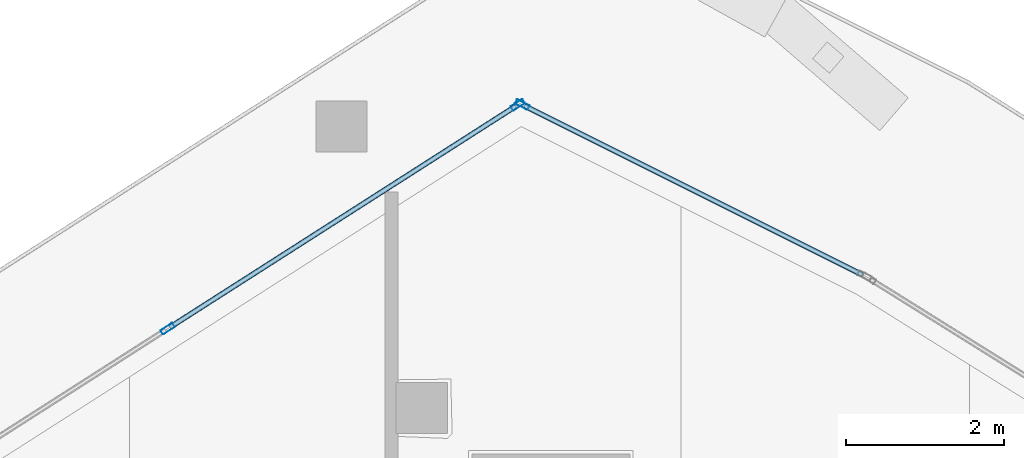
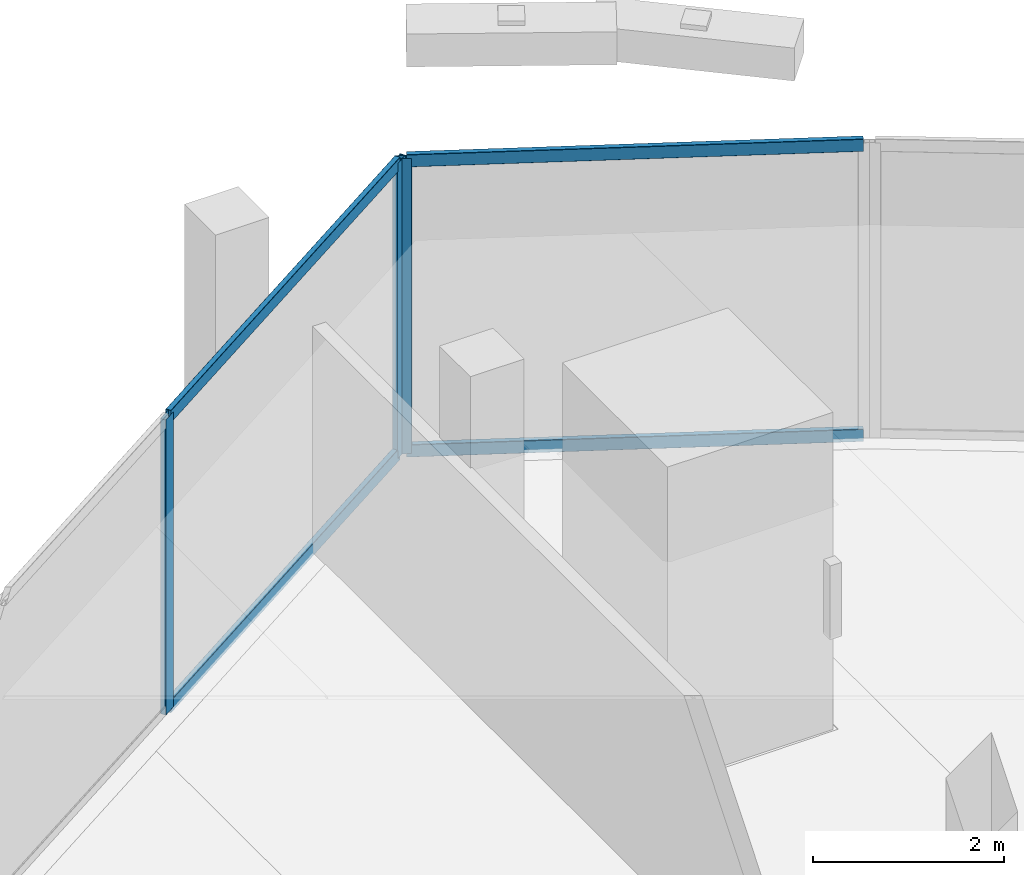
# One storey, part 22 of 42: 7 members, 2 elements without a shape of their own.
"""IFC4 building model written with IfcOpenShell, lengths in metres."""

from ifc_helpers import new_model, si_unit, direction, frame, origin, origin_2d, place, context, subcontext, project, spatial, hollow_rectangle, extrude, material, layer, layer_set, material_profile, profile_set, type_object, element, aggregate, save


model = new_model("IFC4")

# Units and contexts
model_context = context("Model", 3, precision=1e-05, world=origin(), true_north=direction((0.0, 1.0)))
body_context = subcontext(model_context, "Body", "Model", "MODEL_VIEW")
ifc_project = project(units=[si_unit("LENGTHUNIT", "METRE"), si_unit("AREAUNIT", "SQUARE_METRE"), si_unit("VOLUMEUNIT", "CUBIC_METRE"), si_unit("PLANEANGLEUNIT", "RADIAN"), si_unit("MASSUNIT", "GRAM", prefix="KILO")], contexts=[model_context])

# Site, building, storey
site_placement = place(None, origin())
site = spatial("IfcSite", under=ifc_project, at=site_placement, CompositionType="ELEMENT")
building_placement = place(site_placement, origin())
building = spatial("IfcBuilding", under=site, at=building_placement, Name="Qorvath Tower", CompositionType="ELEMENT")
storey_placement = place(building_placement, frame((0.0, 0.0, 121.949951171875)))
storey = spatial("IfcBuildingStorey", under=building, at=storey_placement, Name="L27", CompositionType="ELEMENT", Elevation=121.949951171875)

# Curtain wall, member
ifc_material_1 = material(Name="Anodised aluminium and triple low-E glass", Category="aluminium")
ifc_layer = layer(ifc_material_1, 0.179931640625)
ifc_layer_set = layer_set([ifc_layer], Name="CW-SYS-2")
curtain_wall_type = type_object("IfcCurtainWallType", Name="CW-SYS-2", PredefinedType="NOTDEFINED", material=ifc_layer_set)
curtain_wall_1_placement = place(storey_placement, origin())
curtain_wall_1 = element("IfcCurtainWall", 1, at=curtain_wall_1_placement, inside=storey, type_object=curtain_wall_type, Name="Curtain Wall CW-2 CW-T-L27-15.1", PredefinedType="NOTDEFINED")
ifc_material_2 = material(Name="Anodised aluminium 6063-T6", Category="aluminium")
ifc_material_profile_1 = material_profile(ifc_material_2, hollow_rectangle(XDim=0.06494140625, YDim=0.179931640625, WallThickness=0.00341796875, InnerFilletRadius=0.00341796875, OuterFilletRadius=0.007080078125, at=origin_2d()), Name="CWM 180x65")
ifc_profile_set_1 = profile_set([ifc_material_profile_1], Name="Anodised aluminium 6063-T6")
member_type_1 = type_object("IfcMemberType", Name="CWM-180", PredefinedType="MULLION", material=ifc_profile_set_1)
member_1_placement = place(storey_placement, frame((-15.707763671875, 30.775146484375, 0.0), z_axis=(0.0, 0.0, 1.0), x_axis=(-0.447262398188, -0.894402787992, 0.0)))
member_1 = element("IfcMember", 2, at=member_1_placement, type_object=member_type_1, Name="CW-2 mullion 2", PredefinedType="MULLION", context=body_context, shape_type="SweptSolid", body=[
    extrude(hollow_rectangle(XDim=0.06494140625, YDim=0.179931640625, WallThickness=0.00341796875, InnerFilletRadius=0.00341796875, OuterFilletRadius=0.007080078125, at=origin_2d()), origin(), (0.0, 0.0, 1.0), 3.77001953125),
])

# Curtain wall, members
curtain_wall_2_placement = place(storey_placement, origin())
curtain_wall_2 = element("IfcCurtainWall", 3, at=curtain_wall_2_placement, inside=storey, type_object=curtain_wall_type, Name="Curtain Wall CW-2 CW-T-L27-16.1", PredefinedType="NOTDEFINED")
member_2_placement = place(storey_placement, frame((-15.76416015625, 30.772216796875, 0.0), z_axis=(0.0, 0.0, 1.0), x_axis=(0.538548392681, -0.842594581481, 0.0)))
member_2 = element("IfcMember", 4, at=member_2_placement, type_object=member_type_1, Name="CW-2 mullion 1", PredefinedType="MULLION", context=body_context, shape_type="SweptSolid", body=[
    extrude(hollow_rectangle(XDim=0.06494140625, YDim=0.179931640625, WallThickness=0.00341796875, InnerFilletRadius=0.00341796875, OuterFilletRadius=0.007080078125, at=origin_2d()), origin(), (0.0, 0.0, 1.0), 3.77001953125),
])
member_3_placement = place(storey_placement, frame((-20.2021484375, 27.935546875, 0.0), z_axis=(0.0, 0.0, 1.0), x_axis=(0.538548392681, -0.842594581481, 0.0)))
member_3 = element("IfcMember", 5, at=member_3_placement, type_object=member_type_1, Name="CW-2 mullion 2", PredefinedType="MULLION", context=body_context, shape_type="SweptSolid", body=[
    extrude(hollow_rectangle(XDim=0.06494140625, YDim=0.179931640625, WallThickness=0.00341796875, InnerFilletRadius=0.00341796875, OuterFilletRadius=0.007080078125, at=origin_2d()), origin(), (0.0, 0.0, 1.0), 3.77001953125),
])

# Member
ifc_material_3 = material(Name="Anodised aluminium 6063-T6", Category="aluminium")
ifc_material_profile_2 = material_profile(ifc_material_3, hollow_rectangle(XDim=0.06494140625, YDim=0.159912109375, WallThickness=0.00341796875, InnerFilletRadius=0.00341796875, OuterFilletRadius=0.007080078125, at=origin_2d()), Name="CWT 160x65")
ifc_profile_set_2 = profile_set([ifc_material_profile_2], Name="Anodised aluminium 6063-T6")
member_type_2 = type_object("IfcMemberType", Name="CWT-160", PredefinedType="USERDEFINED", material=ifc_profile_set_2)
member_4_placement = place(storey_placement, frame((-11.396484375, 28.619140625, 0.032470703125), z_axis=(-0.894406793107, 0.447254388959, 0.0), x_axis=(-0.447254388959, -0.894406793107, 0.0)))
member_4 = element("IfcMember", 6, at=member_4_placement, type_object=member_type_2, Name="CW-2 transom 1.1", ObjectType="TRANSOM", PredefinedType="USERDEFINED", context=body_context, shape_type="SweptSolid", body=[
    extrude(hollow_rectangle(XDim=0.06494140625, YDim=0.159912109375, WallThickness=0.00341796875, InnerFilletRadius=0.00341796875, OuterFilletRadius=0.007080078125, at=origin_2d()), origin(), (0.0, 0.0, 1.0), 4.787841796875),
])

member_5_placement = place(storey_placement, frame((-11.396484375, 28.619140625, 3.737548828125), z_axis=(-0.894406793107, 0.447254388959, 0.0), x_axis=(-0.447254388959, -0.894406793107, 0.0)))
member_5 = element("IfcMember", 7, at=member_5_placement, type_object=member_type_2, Name="CW-2 transom 1.2", ObjectType="TRANSOM", PredefinedType="USERDEFINED", context=body_context, shape_type="SweptSolid", body=[
    extrude(hollow_rectangle(XDim=0.06494140625, YDim=0.159912109375, WallThickness=0.00341796875, InnerFilletRadius=0.00341796875, OuterFilletRadius=0.007080078125, at=origin_2d()), origin(), (0.0, 0.0, 1.0), 4.787841796875),
])

aggregate(curtain_wall_1, [member_1, member_4, member_5])

member_6_placement = place(storey_placement, frame((-15.79150390625, 30.754638671875, 0.032470703125), z_axis=(-0.842602796166, -0.538535540047, 0.0), x_axis=(0.538535540047, -0.842602796166, 0.0)))
member_6 = element("IfcMember", 8, at=member_6_placement, type_object=member_type_2, Name="CW-2 transom 1.1", ObjectType="TRANSOM", PredefinedType="USERDEFINED", context=body_context, shape_type="SweptSolid", body=[
    extrude(hollow_rectangle(XDim=0.06494140625, YDim=0.159912109375, WallThickness=0.00341796875, InnerFilletRadius=0.00341796875, OuterFilletRadius=0.007080078125, at=origin_2d()), origin(), (0.0, 0.0, 1.0), 5.2021484375),
])

member_7_placement = place(storey_placement, frame((-15.79150390625, 30.754638671875, 3.737548828125), z_axis=(-0.842602796166, -0.538535540047, 0.0), x_axis=(0.538535540047, -0.842602796166, 0.0)))
member_7 = element("IfcMember", 9, at=member_7_placement, type_object=member_type_2, Name="CW-2 transom 1.2", ObjectType="TRANSOM", PredefinedType="USERDEFINED", context=body_context, shape_type="SweptSolid", body=[
    extrude(hollow_rectangle(XDim=0.06494140625, YDim=0.159912109375, WallThickness=0.00341796875, InnerFilletRadius=0.00341796875, OuterFilletRadius=0.007080078125, at=origin_2d()), origin(), (0.0, 0.0, 1.0), 5.2021484375),
])

aggregate(curtain_wall_2, [member_2, member_3, member_6, member_7])

save(model, "model.ifc")
